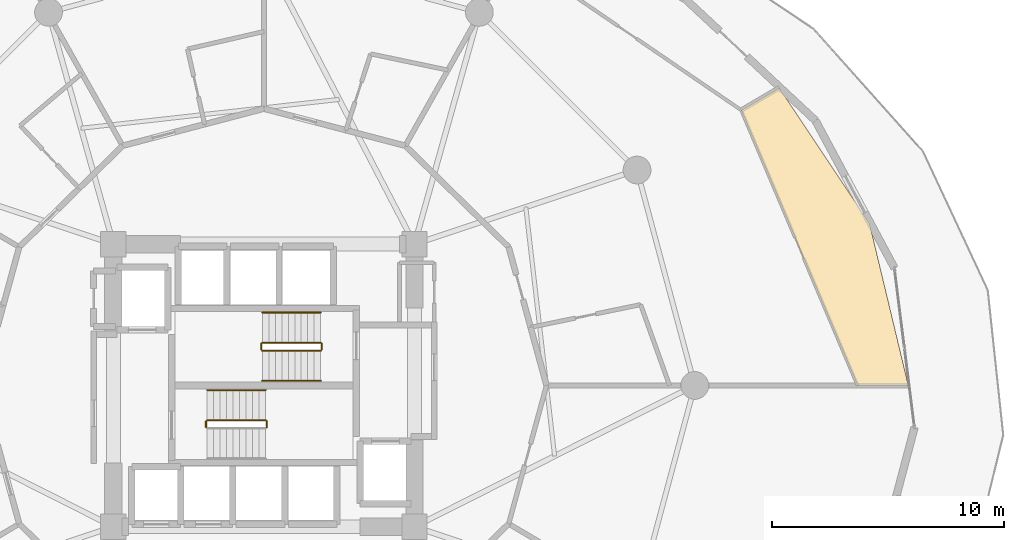
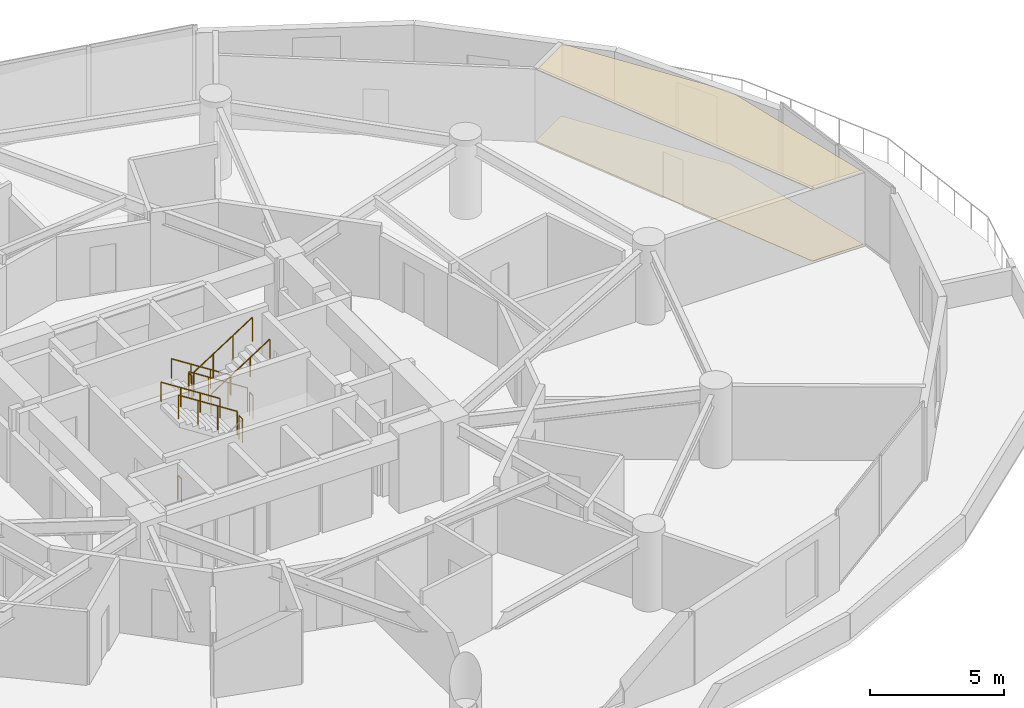
# One storey, part 24 of 25: 10 railings, 2 coverings.
"""IFC4 building model written with IfcOpenShell, lengths in metres."""

from ifc_helpers import new_model, si_unit, direction, frame, origin, origin_2d, place, context, subcontext, project, spatial, polyline, circle, outline, extrude, material, layer, layer_set, type_object, element, save


model = new_model("IFC4")

# Units and contexts
model_context = context("Model", 3, precision=1e-05, world=origin(), true_north=direction((0.0, 1.0)))
body_context = subcontext(model_context, "Body", "Model", "MODEL_VIEW")
ifc_project = project(units=[si_unit("LENGTHUNIT", "METRE"), si_unit("AREAUNIT", "SQUARE_METRE"), si_unit("VOLUMEUNIT", "CUBIC_METRE"), si_unit("PLANEANGLEUNIT", "RADIAN"), si_unit("MASSUNIT", "GRAM", prefix="KILO")], contexts=[model_context])

# Site, building, storey
site_placement = place(None, origin())
site = spatial("IfcSite", under=ifc_project, at=site_placement, CompositionType="ELEMENT")
building_placement = place(site_placement, origin())
building = spatial("IfcBuilding", under=site, at=building_placement, Name="Solvirekh Grand Hotel", CompositionType="ELEMENT")
storey_placement = place(building_placement, frame((0.0, 0.0, 28.39990234375)))
storey = spatial("IfcBuildingStorey", under=building, at=storey_placement, Name="L05", CompositionType="ELEMENT", Elevation=28.39990234375)

# Coverings
ifc_material_1 = material(Name="Acoustic Mineral Ceiling Tile")
ifc_layer_1 = layer(ifc_material_1, 0.02490234375)
ifc_layer_set_1 = layer_set([ifc_layer_1], Name="Acoustic Mineral Ceiling Tile")
covering_type_1 = type_object("IfcCoveringType", Name="Cov_Ceiling_Acoustic", PredefinedType="CEILING", material=ifc_layer_set_1)
covering_1_placement = place(storey_placement, frame((0.0, 0.0, 3.2900390625)))
element("IfcCovering", 1, at=covering_1_placement, inside=storey, type_object=covering_type_1, Name="L05 Executive Suite 0701 Master Bedroom acoustic ceiling", PredefinedType="CEILING", context=body_context, shape_type="SweptSolid", body=[
    extrude(outline(polyline([(27.822021484375, 0.0), (26.14208984375, 7.0048828125), (22.248046875, 12.844970703125), (20.613037109375, 11.883056640625), (25.635009765625, 0.0), (27.822021484375, 0.0)])), origin(), (0.0, 0.0, 1.0), 0.01806640625),
])
ifc_material_2 = material(Name="Porcelain Stoneware Flooring", Category="masonry")
ifc_layer_2 = layer(ifc_material_2, 0.030029296875)
ifc_layer_set_2 = layer_set([ifc_layer_2], Name="Porcelain Stoneware Flooring")
covering_type_2 = type_object("IfcCoveringType", Name="Cov_Floor_Stone", PredefinedType="FLOORING", material=ifc_layer_set_2)
covering_2_placement = place(storey_placement, origin())
element("IfcCovering", 2, at=covering_2_placement, inside=storey, type_object=covering_type_2, Name="L05 Executive Suite 0701 Master Bedroom polished granite flooring", PredefinedType="FLOORING", context=body_context, shape_type="SweptSolid", body=[
    extrude(outline(polyline([(27.822021484375, 0.0), (26.14208984375, 7.0048828125), (22.248046875, 12.844970703125), (20.613037109375, 11.883056640625), (25.635009765625, 0.0), (27.822021484375, 0.0)])), origin(), (0.0, 0.0, 1.0), 0.02001953125),
])

# Railings
ifc_material_3 = material(Name="Steel S355", Category="steel")
railing_type_1 = type_object("IfcRailingType", Name="Guard_Stair_1100", PredefinedType="GUARDRAIL", material=ifc_material_3)
railing_1_placement = place(storey_placement, frame((0.1201171875, -1.800048828125, 1.800048828125)))
element("IfcRailing", 3, at=railing_1_placement, inside=storey, type_object=railing_type_1, Name="L05 ST-1 stair guard 2", PredefinedType="GUARDRAIL", context=body_context, shape_type="SweptSolid", body=[
    extrude(circle(Radius=0.02392578125, at=origin_2d()), frame((0.0, 0.0, 1.076171875), z_axis=(0.0, 1.0, 0.0), x_axis=(-1.0, 0.0, 0.0)), (0.0, 0.0, 1.0), 0.25),
    extrude(circle(Radius=0.02099609375, at=origin_2d()), origin(), (0.0, 0.0, 1.0), 1.052001953125),
    extrude(circle(Radius=0.02099609375, at=origin_2d()), frame((0.0, 0.25, 0.0)), (0.0, 0.0, 1.0), 1.052001953125),
])
railing_2_placement = place(storey_placement, frame((0.070068359375, -1.5, 1.97998046875)))
element("IfcRailing", 4, at=railing_2_placement, inside=storey, type_object=railing_type_1, Name="L05 ST-1 stair guard 3", PredefinedType="GUARDRAIL", context=body_context, shape_type="SweptSolid", body=[
    extrude(circle(Radius=0.02392578125, at=origin_2d()), frame((0.0, 0.0, 1.076171875), z_axis=(-0.841162588446, 0.0, 0.540782303519), x_axis=(0.0, -1.0, 0.0)), (0.0, 0.0, 1.0), 2.995849609375),
    extrude(circle(Radius=0.02099609375, at=origin_2d()), origin(), (0.0, 0.0, 1.0), 1.052001953125),
    extrude(circle(Radius=0.02099609375, at=origin_2d()), frame((-0.840087890625, 0.0, 0.5400390625)), (0.0, 0.0, 1.0), 1.052001953125),
    extrude(circle(Radius=0.02099609375, at=origin_2d()), frame((-1.679931640625, 0.0, 1.080078125)), (0.0, 0.0, 1.0), 1.052001953125),
    extrude(circle(Radius=0.02099609375, at=origin_2d()), frame((-2.52001953125, 0.0, 1.6201171875)), (0.0, 0.0, 1.0), 1.052001953125),
])
railing_3_placement = place(storey_placement, frame((-2.5, -1.800048828125, 0.0)))
element("IfcRailing", 5, at=railing_3_placement, inside=storey, type_object=railing_type_1, Name="L05 ST-1 stair guard 4", PredefinedType="GUARDRAIL", context=body_context, shape_type="SweptSolid", body=[
    extrude(circle(Radius=0.02392578125, at=origin_2d()), frame((0.0, 0.0, 1.076171875), z_axis=(0.0, 1.0, 0.0), x_axis=(-1.0, 0.0, 0.0)), (0.0, 0.0, 1.0), 0.25),
    extrude(circle(Radius=0.02099609375, at=origin_2d()), origin(), (0.0, 0.0, 1.0), 1.052001953125),
    extrude(circle(Radius=0.02099609375, at=origin_2d()), frame((0.0, 0.25, 0.0)), (0.0, 0.0, 1.0), 1.052001953125),
])
railing_4_placement = place(storey_placement, frame((2.449951171875, 1.85009765625, 0.18017578125)))
element("IfcRailing", 6, at=railing_4_placement, inside=storey, type_object=railing_type_1, Name="L05 ST-2 stair guard 1", PredefinedType="GUARDRAIL", context=body_context, shape_type="SweptSolid", body=[
    extrude(circle(Radius=0.02392578125, at=origin_2d()), frame((0.0, 0.0, 1.076171875), z_axis=(-0.841199657755, 0.0, 0.540724639528), x_axis=(0.0, -1.0, 0.0)), (0.0, 0.0, 1.0), 2.995849609375),
    extrude(circle(Radius=0.02099609375, at=origin_2d()), origin(), (0.0, 0.0, 1.0), 1.052001953125),
    extrude(circle(Radius=0.02099609375, at=origin_2d()), frame((-0.840087890625, 0.0, 0.5400390625)), (0.0, 0.0, 1.0), 1.052001953125),
    extrude(circle(Radius=0.02099609375, at=origin_2d()), frame((-1.679931640625, 0.0, 1.079833984375)), (0.0, 0.0, 1.0), 1.052001953125),
    extrude(circle(Radius=0.02099609375, at=origin_2d()), frame((-2.52001953125, 0.0, 1.619873046875)), (0.0, 0.0, 1.0), 1.052001953125),
])
railing_5_placement = place(storey_placement, frame((-0.1201171875, 1.800048828125, 1.800048828125)))
element("IfcRailing", 7, at=railing_5_placement, inside=storey, type_object=railing_type_1, Name="L05 ST-2 stair guard 2", PredefinedType="GUARDRAIL", context=body_context, shape_type="SweptSolid", body=[
    extrude(circle(Radius=0.02392578125, at=origin_2d()), frame((0.0, 0.0, 1.076171875), z_axis=(0.0, -1.0, 0.0), x_axis=(1.0, 0.0, 0.0)), (0.0, 0.0, 1.0), 0.25),
    extrude(circle(Radius=0.02099609375, at=origin_2d()), origin(), (0.0, 0.0, 1.0), 1.052001953125),
    extrude(circle(Radius=0.02099609375, at=origin_2d()), frame((0.0, -0.25, 0.0)), (0.0, 0.0, 1.0), 1.052001953125),
])
railing_6_placement = place(storey_placement, frame((-0.070068359375, 1.5, 1.97998046875)))
element("IfcRailing", 8, at=railing_6_placement, inside=storey, type_object=railing_type_1, Name="L05 ST-2 stair guard 3", PredefinedType="GUARDRAIL", context=body_context, shape_type="SweptSolid", body=[
    extrude(circle(Radius=0.02392578125, at=origin_2d()), frame((0.0, 0.0, 1.076171875), z_axis=(0.841162588446, 0.0, 0.540782303519), x_axis=(0.0, 1.0, 0.0)), (0.0, 0.0, 1.0), 2.995849609375),
    extrude(circle(Radius=0.02099609375, at=origin_2d()), origin(), (0.0, 0.0, 1.0), 1.052001953125),
    extrude(circle(Radius=0.02099609375, at=origin_2d()), frame((0.840087890625, 0.0, 0.5400390625)), (0.0, 0.0, 1.0), 1.052001953125),
    extrude(circle(Radius=0.02099609375, at=origin_2d()), frame((1.679931640625, 0.0, 1.080078125)), (0.0, 0.0, 1.0), 1.052001953125),
    extrude(circle(Radius=0.02099609375, at=origin_2d()), frame((2.52001953125, 0.0, 1.6201171875)), (0.0, 0.0, 1.0), 1.052001953125),
])
railing_7_placement = place(storey_placement, frame((2.5, 1.800048828125, 0.0)))
element("IfcRailing", 9, at=railing_7_placement, inside=storey, type_object=railing_type_1, Name="L05 ST-2 stair guard 4", PredefinedType="GUARDRAIL", context=body_context, shape_type="SweptSolid", body=[
    extrude(circle(Radius=0.02392578125, at=origin_2d()), frame((0.0, 0.0, 1.076171875), z_axis=(0.0, -1.0, 0.0), x_axis=(1.0, 0.0, 0.0)), (0.0, 0.0, 1.0), 0.25),
    extrude(circle(Radius=0.02099609375, at=origin_2d()), origin(), (0.0, 0.0, 1.0), 1.052001953125),
    extrude(circle(Radius=0.02099609375, at=origin_2d()), frame((0.0, -0.25, 0.0)), (0.0, 0.0, 1.0), 1.052001953125),
])
ifc_material_4 = material(Name="Anodized Bronze Aluminium 6063-T6", Category="aluminium")
railing_type_2 = type_object("IfcRailingType", Name="Handrail_Wall_900", PredefinedType="HANDRAIL", material=ifc_material_4)
railing_8_placement = place(storey_placement, frame((0.070068359375, -0.199951171875, 1.97998046875)))
element("IfcRailing", 10, at=railing_8_placement, inside=storey, type_object=railing_type_2, Name="L05 ST-1 stair handrail 2", PredefinedType="HANDRAIL", context=body_context, shape_type="SweptSolid", body=[
    extrude(circle(Radius=0.02392578125, at=origin_2d()), frame((0.0, 0.0, 0.8759765625), z_axis=(-0.841162588446, 0.0, 0.540782303519), x_axis=(0.0, -1.0, 0.0)), (0.0, 0.0, 1.0), 2.995849609375),
    extrude(circle(Radius=0.02099609375, at=origin_2d()), origin(), (0.0, 0.0, 1.0), 0.851806640625),
    extrude(circle(Radius=0.02099609375, at=origin_2d()), frame((-0.840087890625, 0.0, 0.5400390625)), (0.0, 0.0, 1.0), 0.851806640625),
    extrude(circle(Radius=0.02099609375, at=origin_2d()), frame((-1.679931640625, 0.0, 1.080078125)), (0.0, 0.0, 1.0), 0.851806640625),
    extrude(circle(Radius=0.02099609375, at=origin_2d()), frame((-2.52001953125, 0.0, 1.6201171875)), (0.0, 0.0, 1.0), 0.851806640625),
])
railing_9_placement = place(storey_placement, frame((2.449951171875, 3.14990234375, 0.18017578125)))
element("IfcRailing", 11, at=railing_9_placement, inside=storey, type_object=railing_type_2, Name="L05 ST-2 stair handrail 1", PredefinedType="HANDRAIL", context=body_context, shape_type="SweptSolid", body=[
    extrude(circle(Radius=0.02392578125, at=origin_2d()), frame((0.0, 0.0, 0.8759765625), z_axis=(-0.841199657755, 0.0, 0.540724639528), x_axis=(0.0, -1.0, 0.0)), (0.0, 0.0, 1.0), 2.995849609375),
    extrude(circle(Radius=0.02099609375, at=origin_2d()), origin(), (0.0, 0.0, 1.0), 0.851806640625),
    extrude(circle(Radius=0.02099609375, at=origin_2d()), frame((-0.840087890625, 0.0, 0.5400390625)), (0.0, 0.0, 1.0), 0.851806640625),
    extrude(circle(Radius=0.02099609375, at=origin_2d()), frame((-1.679931640625, 0.0, 1.079833984375)), (0.0, 0.0, 1.0), 0.851806640625),
    extrude(circle(Radius=0.02099609375, at=origin_2d()), frame((-2.52001953125, 0.0, 1.619873046875)), (0.0, 0.0, 1.0), 0.851806640625),
])
railing_10_placement = place(storey_placement, frame((-0.070068359375, 0.199951171875, 1.97998046875)))
element("IfcRailing", 12, at=railing_10_placement, inside=storey, type_object=railing_type_2, Name="L05 ST-2 stair handrail 2", PredefinedType="HANDRAIL", context=body_context, shape_type="SweptSolid", body=[
    extrude(circle(Radius=0.02392578125, at=origin_2d()), frame((0.0, 0.0, 0.8759765625), z_axis=(0.841162588446, 0.0, 0.540782303519), x_axis=(0.0, 1.0, 0.0)), (0.0, 0.0, 1.0), 2.995849609375),
    extrude(circle(Radius=0.02099609375, at=origin_2d()), origin(), (0.0, 0.0, 1.0), 0.851806640625),
    extrude(circle(Radius=0.02099609375, at=origin_2d()), frame((0.840087890625, 0.0, 0.5400390625)), (0.0, 0.0, 1.0), 0.851806640625),
    extrude(circle(Radius=0.02099609375, at=origin_2d()), frame((1.679931640625, 0.0, 1.080078125)), (0.0, 0.0, 1.0), 0.851806640625),
    extrude(circle(Radius=0.02099609375, at=origin_2d()), frame((2.52001953125, 0.0, 1.6201171875)), (0.0, 0.0, 1.0), 0.851806640625),
])

save(model, "model.ifc")
